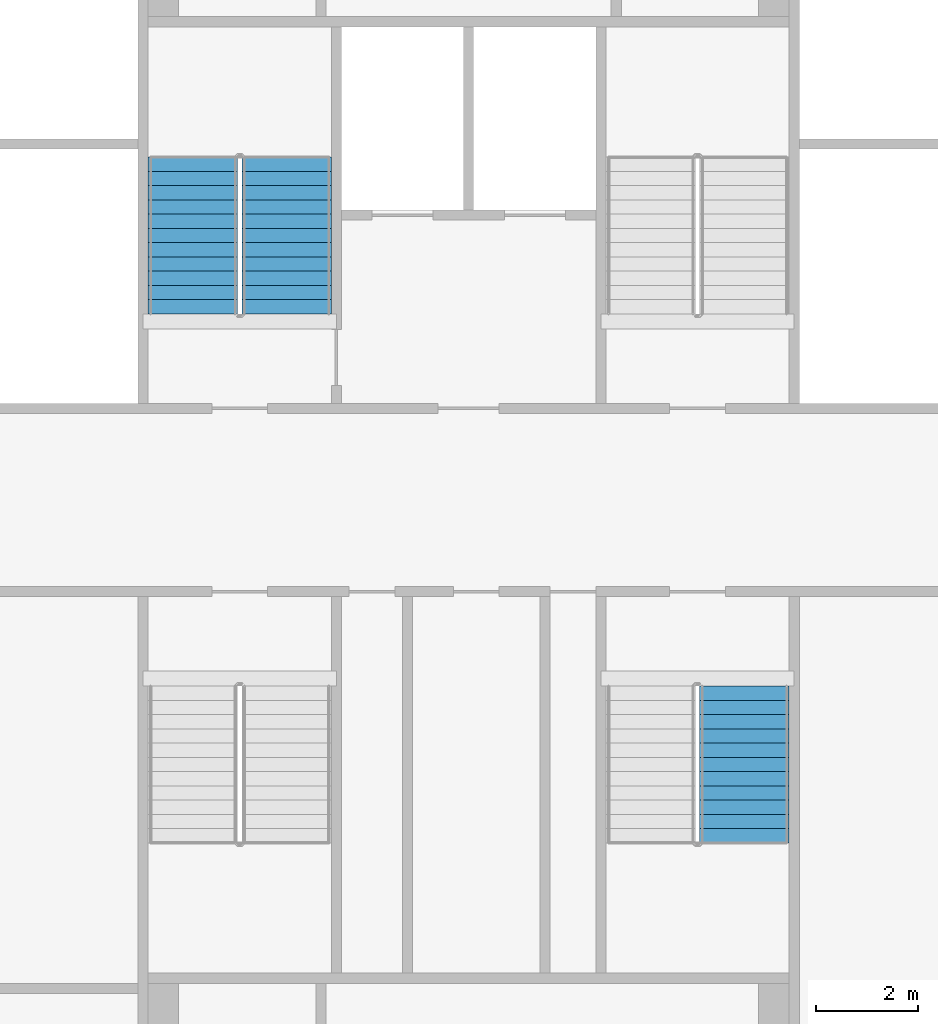
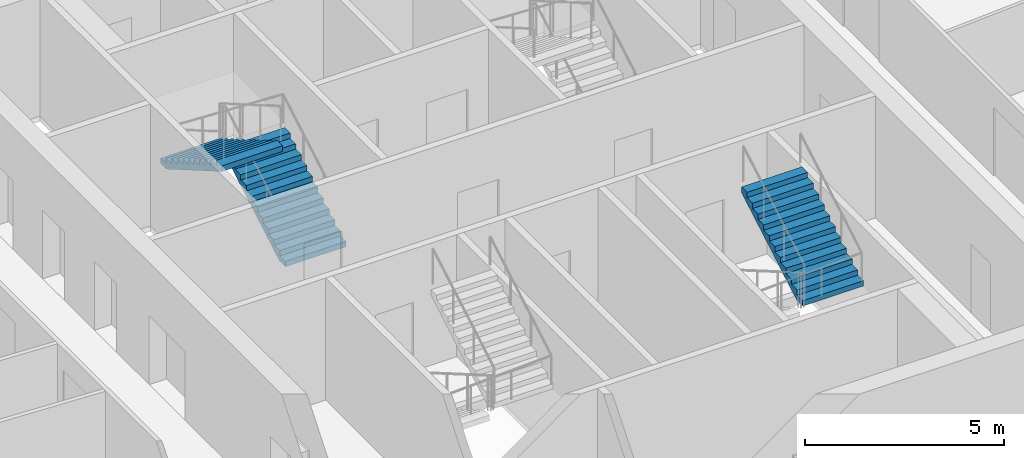
# One storey, part 8 of 14: 3 stair flights, 2 elements without a shape of their own.
"""IFC4 building model written with IfcOpenShell, lengths in metres."""

from ifc_helpers import new_model, si_unit, direction, frame, origin, place, context, subcontext, project, spatial, faceted_brep, material, type_object, element, aggregate, save


model = new_model("IFC4")

# Units and contexts
model_context = context("Model", 3, precision=1e-05, world=origin(), true_north=direction((0.0, 1.0)))
body_context = subcontext(model_context, "Body", "Model", "MODEL_VIEW")
ifc_project = project(units=[si_unit("LENGTHUNIT", "METRE"), si_unit("AREAUNIT", "SQUARE_METRE"), si_unit("VOLUMEUNIT", "CUBIC_METRE"), si_unit("PLANEANGLEUNIT", "RADIAN"), si_unit("MASSUNIT", "GRAM", prefix="KILO")], contexts=[model_context])

# Site, building, storey
site_placement = place(None, origin())
site = spatial("IfcSite", under=ifc_project, at=site_placement, CompositionType="ELEMENT")
building_placement = place(site_placement, origin())
building = spatial("IfcBuilding", under=site, at=building_placement, Name="Tarsis Ring Headquarters", CompositionType="ELEMENT")
storey_placement = place(building_placement, frame((0.0, 0.0, 274.699951171875)))
storey = spatial("IfcBuildingStorey", under=building, at=storey_placement, Name="L64", CompositionType="ELEMENT", Elevation=274.699951171875)

# Stair, stair flights
ifc_material_1 = material(Name="Core stair 1760")
stair_type = type_object("IfcStairType", Name="Core stair 1760", PredefinedType="HALF_TURN_STAIR", material=ifc_material_1)
stair_1_placement = place(storey_placement, origin())
stair_1 = element("IfcStair", 1, at=stair_1_placement, inside=storey, type_object=stair_type, Name="L64 Firefighting stair", PredefinedType="HALF_TURN_STAIR")
ifc_material_2 = material(Name="Concrete C40/50", Category="concrete")
stair_flight_type = type_object("IfcStairFlightType", Name="Core stair flight 1760", PredefinedType="STRAIGHT", material=ifc_material_2)
stair_flight_1_placement = place(storey_placement, frame((-3.580078125, 3.659912109375, 0.0), z_axis=(0.0, 0.0, 1.0), x_axis=(0.0, 1.0, 0.0)))
stair_flight_1 = element("IfcStairFlight", 2, at=stair_flight_1_placement, type_object=stair_flight_type, Name="Stair ST1 flight 1", NumberOfRisers=12, NumberOfTreads=11, PredefinedType="STRAIGHT", RiserHeight=0.1625, TreadLength=0.28, context=body_context, shape_type="Brep", body=[
    faceted_brep([(0.0, 0.8798828125, 0.0), (0.0, 0.8798828125, 0.16259765625), (0.280029296875, 0.8798828125, 0.16259765625), (0.280029296875, 0.8798828125, 0.324951171875), (0.56005859375, 0.8798828125, 0.324951171875), (0.56005859375, 0.8798828125, 0.487548828125), (0.840087890625, 0.8798828125, 0.487548828125), (0.840087890625, 0.8798828125, 0.64990234375), (1.1201171875, 0.8798828125, 0.64990234375), (1.1201171875, 0.8798828125, 0.8125), (1.39990234375, 0.8798828125, 0.8125), (1.39990234375, 0.8798828125, 0.97509765625), (1.679931640625, 0.8798828125, 0.97509765625), (1.679931640625, 0.8798828125, 1.137451171875), (1.9599609375, 0.8798828125, 1.137451171875), (1.9599609375, 0.8798828125, 1.300048828125), (2.239990234375, 0.8798828125, 1.300048828125), (2.239990234375, 0.8798828125, 1.46240234375), (2.52001953125, 0.8798828125, 1.46240234375), (2.52001953125, 0.8798828125, 1.625), (2.800048828125, 0.8798828125, 1.625), (2.800048828125, 0.8798828125, 1.78759765625), (3.080078125, 0.8798828125, 1.78759765625), (3.080078125, 0.8798828125, 1.6142578125), (0.298583984375, 0.8798828125, 0.0), (0.298583984375, -0.8798828125, 0.0), (3.080078125, -0.8798828125, 1.6142578125), (3.080078125, -0.8798828125, 1.78759765625), (2.800048828125, -0.8798828125, 1.78759765625), (2.800048828125, -0.8798828125, 1.625), (2.52001953125, -0.8798828125, 1.625), (2.52001953125, -0.8798828125, 1.46240234375), (2.239990234375, -0.8798828125, 1.46240234375), (2.239990234375, -0.8798828125, 1.300048828125), (1.9599609375, -0.8798828125, 1.300048828125), (1.9599609375, -0.8798828125, 1.137451171875), (1.679931640625, -0.8798828125, 1.137451171875), (1.679931640625, -0.8798828125, 0.97509765625), (1.39990234375, -0.8798828125, 0.97509765625), (1.39990234375, -0.8798828125, 0.8125), (1.1201171875, -0.8798828125, 0.8125), (1.1201171875, -0.8798828125, 0.64990234375), (0.840087890625, -0.8798828125, 0.64990234375), (0.840087890625, -0.8798828125, 0.487548828125), (0.56005859375, -0.8798828125, 0.487548828125), (0.56005859375, -0.8798828125, 0.324951171875), (0.280029296875, -0.8798828125, 0.324951171875), (0.280029296875, -0.8798828125, 0.16259765625), (0.0, -0.8798828125, 0.16259765625), (0.0, -0.8798828125, 0.0), (0.0, -0.43994140625, 0.16259765625), (0.0, -0.43994140625, 0.0), (0.0, 0.0, 0.16259765625), (0.0, 0.0, 0.0), (0.0, 0.43994140625, 0.16259765625), (0.0, 0.43994140625, 0.0), (0.280029296875, -0.43994140625, 0.16259765625), (0.280029296875, 0.0, 0.16259765625), (0.280029296875, 0.43994140625, 0.16259765625), (0.280029296875, -0.43994140625, 0.324951171875), (0.280029296875, 0.0, 0.324951171875), (0.280029296875, 0.43994140625, 0.324951171875), (0.56005859375, -0.43994140625, 0.324951171875), (0.56005859375, 0.0, 0.324951171875), (0.56005859375, 0.43994140625, 0.324951171875), (0.56005859375, -0.43994140625, 0.487548828125), (0.56005859375, 0.0, 0.487548828125), (0.56005859375, 0.43994140625, 0.487548828125), (0.840087890625, -0.43994140625, 0.487548828125), (0.840087890625, 0.0, 0.487548828125), (0.840087890625, 0.43994140625, 0.487548828125), (0.840087890625, -0.43994140625, 0.64990234375), (0.840087890625, 0.0, 0.64990234375), (0.840087890625, 0.43994140625, 0.64990234375), (1.1201171875, -0.43994140625, 0.64990234375), (1.1201171875, 0.0, 0.64990234375), (1.1201171875, 0.43994140625, 0.64990234375), (1.1201171875, -0.43994140625, 0.8125), (1.1201171875, 0.0, 0.8125), (1.1201171875, 0.43994140625, 0.8125), (1.39990234375, -0.43994140625, 0.8125), (1.39990234375, 0.0, 0.8125), (1.39990234375, 0.43994140625, 0.8125), (1.39990234375, -0.43994140625, 0.97509765625), (1.39990234375, 0.0, 0.97509765625), (1.39990234375, 0.43994140625, 0.97509765625), (1.679931640625, -0.43994140625, 0.97509765625), (1.679931640625, 0.0, 0.97509765625), (1.679931640625, 0.43994140625, 0.97509765625), (1.679931640625, -0.43994140625, 1.137451171875), (1.679931640625, 0.0, 1.137451171875), (1.679931640625, 0.43994140625, 1.137451171875), (1.9599609375, -0.43994140625, 1.137451171875), (1.9599609375, 0.0, 1.137451171875), (1.9599609375, 0.43994140625, 1.137451171875), (1.9599609375, -0.43994140625, 1.300048828125), (1.9599609375, 0.0, 1.300048828125), (1.9599609375, 0.43994140625, 1.300048828125), (2.239990234375, -0.43994140625, 1.300048828125), (2.239990234375, 0.0, 1.300048828125), (2.239990234375, 0.43994140625, 1.300048828125), (2.239990234375, -0.43994140625, 1.46240234375), (2.239990234375, 0.0, 1.46240234375), (2.239990234375, 0.43994140625, 1.46240234375), (2.52001953125, -0.43994140625, 1.46240234375), (2.52001953125, 0.0, 1.46240234375), (2.52001953125, 0.43994140625, 1.46240234375), (2.52001953125, -0.43994140625, 1.625), (2.52001953125, 0.0, 1.625), (2.52001953125, 0.43994140625, 1.625), (2.800048828125, -0.43994140625, 1.625), (2.800048828125, 0.0, 1.625), (2.800048828125, 0.43994140625, 1.625), (2.800048828125, -0.43994140625, 1.78759765625), (2.800048828125, 0.0, 1.78759765625), (2.800048828125, 0.43994140625, 1.78759765625), (3.080078125, -0.43994140625, 1.78759765625), (3.080078125, 0.0, 1.78759765625), (3.080078125, 0.43994140625, 1.78759765625), (3.080078125, -0.43994140625, 1.6142578125), (3.080078125, 0.0, 1.6142578125), (3.080078125, 0.43994140625, 1.6142578125), (0.298583984375, -0.43994140625, 0.0), (0.298583984375, 0.0, 0.0), (0.298583984375, 0.43994140625, 0.0)], [[[0, 1, 2, 3, 4, 5, 6, 7, 8, 9, 10, 11, 12, 13, 14, 15, 16, 17, 18, 19, 20, 21, 22, 23, 24]], [[25, 26, 27, 28, 29, 30, 31, 32, 33, 34, 35, 36, 37, 38, 39, 40, 41, 42, 43, 44, 45, 46, 47, 48, 49]], [[49, 48, 50, 51]], [[51, 50, 52, 53]], [[53, 52, 54, 55]], [[55, 54, 1, 0]], [[48, 47, 56, 50]], [[50, 56, 57, 52]], [[52, 57, 58, 54]], [[54, 58, 2, 1]], [[47, 46, 59, 56]], [[56, 59, 60, 57]], [[57, 60, 61, 58]], [[58, 61, 3, 2]], [[46, 45, 62, 59]], [[59, 62, 63, 60]], [[60, 63, 64, 61]], [[61, 64, 4, 3]], [[45, 44, 65, 62]], [[62, 65, 66, 63]], [[63, 66, 67, 64]], [[64, 67, 5, 4]], [[44, 43, 68, 65]], [[65, 68, 69, 66]], [[66, 69, 70, 67]], [[67, 70, 6, 5]], [[43, 42, 71, 68]], [[68, 71, 72, 69]], [[69, 72, 73, 70]], [[70, 73, 7, 6]], [[42, 41, 74, 71]], [[71, 74, 75, 72]], [[72, 75, 76, 73]], [[73, 76, 8, 7]], [[41, 40, 77, 74]], [[74, 77, 78, 75]], [[75, 78, 79, 76]], [[76, 79, 9, 8]], [[40, 39, 80, 77]], [[77, 80, 81, 78]], [[78, 81, 82, 79]], [[79, 82, 10, 9]], [[39, 38, 83, 80]], [[80, 83, 84, 81]], [[81, 84, 85, 82]], [[82, 85, 11, 10]], [[38, 37, 86, 83]], [[83, 86, 87, 84]], [[84, 87, 88, 85]], [[85, 88, 12, 11]], [[37, 36, 89, 86]], [[86, 89, 90, 87]], [[87, 90, 91, 88]], [[88, 91, 13, 12]], [[36, 35, 92, 89]], [[89, 92, 93, 90]], [[90, 93, 94, 91]], [[91, 94, 14, 13]], [[35, 34, 95, 92]], [[92, 95, 96, 93]], [[93, 96, 97, 94]], [[94, 97, 15, 14]], [[34, 33, 98, 95]], [[95, 98, 99, 96]], [[96, 99, 100, 97]], [[97, 100, 16, 15]], [[33, 32, 101, 98]], [[98, 101, 102, 99]], [[99, 102, 103, 100]], [[100, 103, 17, 16]], [[32, 31, 104, 101]], [[101, 104, 105, 102]], [[102, 105, 106, 103]], [[103, 106, 18, 17]], [[31, 30, 107, 104]], [[104, 107, 108, 105]], [[105, 108, 109, 106]], [[106, 109, 19, 18]], [[30, 29, 110, 107]], [[107, 110, 111, 108]], [[108, 111, 112, 109]], [[109, 112, 20, 19]], [[29, 28, 113, 110]], [[110, 113, 114, 111]], [[111, 114, 115, 112]], [[112, 115, 21, 20]], [[28, 27, 116, 113]], [[113, 116, 117, 114]], [[114, 117, 118, 115]], [[115, 118, 22, 21]], [[27, 26, 119, 116]], [[116, 119, 120, 117]], [[117, 120, 121, 118]], [[118, 121, 23, 22]], [[26, 25, 122, 119]], [[119, 122, 123, 120]], [[120, 123, 124, 121]], [[121, 124, 24, 23]], [[25, 49, 51, 122]], [[122, 51, 53, 123]], [[123, 53, 55, 124]], [[124, 55, 0, 24]]]),
])
stair_flight_2_placement = place(storey_placement, frame((-5.419921875, 6.739990234375, 1.949951171875), z_axis=(0.0, 0.0, 1.0), x_axis=(0.0, -1.0, 0.0)))
stair_flight_2 = element("IfcStairFlight", 3, at=stair_flight_2_placement, type_object=stair_flight_type, Name="Stair ST1 flight 2", NumberOfRisers=12, NumberOfTreads=11, PredefinedType="STRAIGHT", RiserHeight=0.1625, TreadLength=0.28, context=body_context, shape_type="Brep", body=[
    faceted_brep([(0.0, 0.8798828125, 0.0), (0.0, 0.8798828125, 0.16259765625), (0.280029296875, 0.8798828125, 0.16259765625), (0.280029296875, 0.8798828125, 0.324951171875), (0.56005859375, 0.8798828125, 0.324951171875), (0.56005859375, 0.8798828125, 0.487548828125), (0.840087890625, 0.8798828125, 0.487548828125), (0.840087890625, 0.8798828125, 0.64990234375), (1.1201171875, 0.8798828125, 0.64990234375), (1.1201171875, 0.8798828125, 0.8125), (1.39990234375, 0.8798828125, 0.8125), (1.39990234375, 0.8798828125, 0.97509765625), (1.679931640625, 0.8798828125, 0.97509765625), (1.679931640625, 0.8798828125, 1.137451171875), (1.9599609375, 0.8798828125, 1.137451171875), (1.9599609375, 0.8798828125, 1.300048828125), (2.239990234375, 0.8798828125, 1.300048828125), (2.239990234375, 0.8798828125, 1.46240234375), (2.52001953125, 0.8798828125, 1.46240234375), (2.52001953125, 0.8798828125, 1.625), (2.800048828125, 0.8798828125, 1.625), (2.800048828125, 0.8798828125, 1.78759765625), (3.080078125, 0.8798828125, 1.78759765625), (3.080078125, 0.8798828125, 1.6142578125), (0.298583984375, 0.8798828125, 0.0), (0.298583984375, -0.8798828125, 0.0), (3.080078125, -0.8798828125, 1.6142578125), (3.080078125, -0.8798828125, 1.78759765625), (2.800048828125, -0.8798828125, 1.78759765625), (2.800048828125, -0.8798828125, 1.625), (2.52001953125, -0.8798828125, 1.625), (2.52001953125, -0.8798828125, 1.46240234375), (2.239990234375, -0.8798828125, 1.46240234375), (2.239990234375, -0.8798828125, 1.300048828125), (1.9599609375, -0.8798828125, 1.300048828125), (1.9599609375, -0.8798828125, 1.137451171875), (1.679931640625, -0.8798828125, 1.137451171875), (1.679931640625, -0.8798828125, 0.97509765625), (1.39990234375, -0.8798828125, 0.97509765625), (1.39990234375, -0.8798828125, 0.8125), (1.1201171875, -0.8798828125, 0.8125), (1.1201171875, -0.8798828125, 0.64990234375), (0.840087890625, -0.8798828125, 0.64990234375), (0.840087890625, -0.8798828125, 0.487548828125), (0.56005859375, -0.8798828125, 0.487548828125), (0.56005859375, -0.8798828125, 0.324951171875), (0.280029296875, -0.8798828125, 0.324951171875), (0.280029296875, -0.8798828125, 0.16259765625), (0.0, -0.8798828125, 0.16259765625), (0.0, -0.8798828125, 0.0), (0.0, -0.43994140625, 0.16259765625), (0.0, -0.43994140625, 0.0), (0.0, 0.0, 0.16259765625), (0.0, 0.0, 0.0), (0.0, 0.43994140625, 0.16259765625), (0.0, 0.43994140625, 0.0), (0.280029296875, -0.43994140625, 0.16259765625), (0.280029296875, 0.0, 0.16259765625), (0.280029296875, 0.43994140625, 0.16259765625), (0.280029296875, -0.43994140625, 0.324951171875), (0.280029296875, 0.0, 0.324951171875), (0.280029296875, 0.43994140625, 0.324951171875), (0.56005859375, -0.43994140625, 0.324951171875), (0.56005859375, 0.0, 0.324951171875), (0.56005859375, 0.43994140625, 0.324951171875), (0.56005859375, -0.43994140625, 0.487548828125), (0.56005859375, 0.0, 0.487548828125), (0.56005859375, 0.43994140625, 0.487548828125), (0.840087890625, -0.43994140625, 0.487548828125), (0.840087890625, 0.0, 0.487548828125), (0.840087890625, 0.43994140625, 0.487548828125), (0.840087890625, -0.43994140625, 0.64990234375), (0.840087890625, 0.0, 0.64990234375), (0.840087890625, 0.43994140625, 0.64990234375), (1.1201171875, -0.43994140625, 0.64990234375), (1.1201171875, 0.0, 0.64990234375), (1.1201171875, 0.43994140625, 0.64990234375), (1.1201171875, -0.43994140625, 0.8125), (1.1201171875, 0.0, 0.8125), (1.1201171875, 0.43994140625, 0.8125), (1.39990234375, -0.43994140625, 0.8125), (1.39990234375, 0.0, 0.8125), (1.39990234375, 0.43994140625, 0.8125), (1.39990234375, -0.43994140625, 0.97509765625), (1.39990234375, 0.0, 0.97509765625), (1.39990234375, 0.43994140625, 0.97509765625), (1.679931640625, -0.43994140625, 0.97509765625), (1.679931640625, 0.0, 0.97509765625), (1.679931640625, 0.43994140625, 0.97509765625), (1.679931640625, -0.43994140625, 1.137451171875), (1.679931640625, 0.0, 1.137451171875), (1.679931640625, 0.43994140625, 1.137451171875), (1.9599609375, -0.43994140625, 1.137451171875), (1.9599609375, 0.0, 1.137451171875), (1.9599609375, 0.43994140625, 1.137451171875), (1.9599609375, -0.43994140625, 1.300048828125), (1.9599609375, 0.0, 1.300048828125), (1.9599609375, 0.43994140625, 1.300048828125), (2.239990234375, -0.43994140625, 1.300048828125), (2.239990234375, 0.0, 1.300048828125), (2.239990234375, 0.43994140625, 1.300048828125), (2.239990234375, -0.43994140625, 1.46240234375), (2.239990234375, 0.0, 1.46240234375), (2.239990234375, 0.43994140625, 1.46240234375), (2.52001953125, -0.43994140625, 1.46240234375), (2.52001953125, 0.0, 1.46240234375), (2.52001953125, 0.43994140625, 1.46240234375), (2.52001953125, -0.43994140625, 1.625), (2.52001953125, 0.0, 1.625), (2.52001953125, 0.43994140625, 1.625), (2.800048828125, -0.43994140625, 1.625), (2.800048828125, 0.0, 1.625), (2.800048828125, 0.43994140625, 1.625), (2.800048828125, -0.43994140625, 1.78759765625), (2.800048828125, 0.0, 1.78759765625), (2.800048828125, 0.43994140625, 1.78759765625), (3.080078125, -0.43994140625, 1.78759765625), (3.080078125, 0.0, 1.78759765625), (3.080078125, 0.43994140625, 1.78759765625), (3.080078125, -0.43994140625, 1.6142578125), (3.080078125, 0.0, 1.6142578125), (3.080078125, 0.43994140625, 1.6142578125), (0.298583984375, -0.43994140625, 0.0), (0.298583984375, 0.0, 0.0), (0.298583984375, 0.43994140625, 0.0)], [[[0, 1, 2, 3, 4, 5, 6, 7, 8, 9, 10, 11, 12, 13, 14, 15, 16, 17, 18, 19, 20, 21, 22, 23, 24]], [[25, 26, 27, 28, 29, 30, 31, 32, 33, 34, 35, 36, 37, 38, 39, 40, 41, 42, 43, 44, 45, 46, 47, 48, 49]], [[49, 48, 50, 51]], [[51, 50, 52, 53]], [[53, 52, 54, 55]], [[55, 54, 1, 0]], [[48, 47, 56, 50]], [[50, 56, 57, 52]], [[52, 57, 58, 54]], [[54, 58, 2, 1]], [[47, 46, 59, 56]], [[56, 59, 60, 57]], [[57, 60, 61, 58]], [[58, 61, 3, 2]], [[46, 45, 62, 59]], [[59, 62, 63, 60]], [[60, 63, 64, 61]], [[61, 64, 4, 3]], [[45, 44, 65, 62]], [[62, 65, 66, 63]], [[63, 66, 67, 64]], [[64, 67, 5, 4]], [[44, 43, 68, 65]], [[65, 68, 69, 66]], [[66, 69, 70, 67]], [[67, 70, 6, 5]], [[43, 42, 71, 68]], [[68, 71, 72, 69]], [[69, 72, 73, 70]], [[70, 73, 7, 6]], [[42, 41, 74, 71]], [[71, 74, 75, 72]], [[72, 75, 76, 73]], [[73, 76, 8, 7]], [[41, 40, 77, 74]], [[74, 77, 78, 75]], [[75, 78, 79, 76]], [[76, 79, 9, 8]], [[40, 39, 80, 77]], [[77, 80, 81, 78]], [[78, 81, 82, 79]], [[79, 82, 10, 9]], [[39, 38, 83, 80]], [[80, 83, 84, 81]], [[81, 84, 85, 82]], [[82, 85, 11, 10]], [[38, 37, 86, 83]], [[83, 86, 87, 84]], [[84, 87, 88, 85]], [[85, 88, 12, 11]], [[37, 36, 89, 86]], [[86, 89, 90, 87]], [[87, 90, 91, 88]], [[88, 91, 13, 12]], [[36, 35, 92, 89]], [[89, 92, 93, 90]], [[90, 93, 94, 91]], [[91, 94, 14, 13]], [[35, 34, 95, 92]], [[92, 95, 96, 93]], [[93, 96, 97, 94]], [[94, 97, 15, 14]], [[34, 33, 98, 95]], [[95, 98, 99, 96]], [[96, 99, 100, 97]], [[97, 100, 16, 15]], [[33, 32, 101, 98]], [[98, 101, 102, 99]], [[99, 102, 103, 100]], [[100, 103, 17, 16]], [[32, 31, 104, 101]], [[101, 104, 105, 102]], [[102, 105, 106, 103]], [[103, 106, 18, 17]], [[31, 30, 107, 104]], [[104, 107, 108, 105]], [[105, 108, 109, 106]], [[106, 109, 19, 18]], [[30, 29, 110, 107]], [[107, 110, 111, 108]], [[108, 111, 112, 109]], [[109, 112, 20, 19]], [[29, 28, 113, 110]], [[110, 113, 114, 111]], [[111, 114, 115, 112]], [[112, 115, 21, 20]], [[28, 27, 116, 113]], [[113, 116, 117, 114]], [[114, 117, 118, 115]], [[115, 118, 22, 21]], [[27, 26, 119, 116]], [[116, 119, 120, 117]], [[117, 120, 121, 118]], [[118, 121, 23, 22]], [[26, 25, 122, 119]], [[119, 122, 123, 120]], [[120, 123, 124, 121]], [[121, 124, 24, 23]], [[25, 49, 51, 122]], [[122, 51, 53, 123]], [[123, 53, 55, 124]], [[124, 55, 0, 24]]]),
])
aggregate(stair_1, [stair_flight_1, stair_flight_2])

# Stair, stair flight
stair_2_placement = place(storey_placement, origin())
stair_2 = element("IfcStair", 4, at=stair_2_placement, inside=storey, type_object=stair_type, Name="L64 Exit stair D", PredefinedType="HALF_TURN_STAIR")
stair_flight_3_placement = place(storey_placement, frame((5.419921875, -6.739990234375, 1.949951171875), z_axis=(0.0, 0.0, 1.0), x_axis=(0.0, 1.0, 0.0)))
stair_flight_3 = element("IfcStairFlight", 5, at=stair_flight_3_placement, type_object=stair_flight_type, Name="Stair ST4 flight 2", NumberOfRisers=12, NumberOfTreads=11, PredefinedType="STRAIGHT", RiserHeight=0.1625, TreadLength=0.28, context=body_context, shape_type="Brep", body=[
    faceted_brep([(0.0, 0.8798828125, 0.0), (0.0, 0.8798828125, 0.16259765625), (0.280029296875, 0.8798828125, 0.16259765625), (0.280029296875, 0.8798828125, 0.324951171875), (0.56005859375, 0.8798828125, 0.324951171875), (0.56005859375, 0.8798828125, 0.487548828125), (0.840087890625, 0.8798828125, 0.487548828125), (0.840087890625, 0.8798828125, 0.64990234375), (1.1201171875, 0.8798828125, 0.64990234375), (1.1201171875, 0.8798828125, 0.8125), (1.39990234375, 0.8798828125, 0.8125), (1.39990234375, 0.8798828125, 0.97509765625), (1.679931640625, 0.8798828125, 0.97509765625), (1.679931640625, 0.8798828125, 1.137451171875), (1.9599609375, 0.8798828125, 1.137451171875), (1.9599609375, 0.8798828125, 1.300048828125), (2.239990234375, 0.8798828125, 1.300048828125), (2.239990234375, 0.8798828125, 1.46240234375), (2.52001953125, 0.8798828125, 1.46240234375), (2.52001953125, 0.8798828125, 1.625), (2.800048828125, 0.8798828125, 1.625), (2.800048828125, 0.8798828125, 1.78759765625), (3.080078125, 0.8798828125, 1.78759765625), (3.080078125, 0.8798828125, 1.6142578125), (0.298583984375, 0.8798828125, 0.0), (0.298583984375, -0.8798828125, 0.0), (3.080078125, -0.8798828125, 1.6142578125), (3.080078125, -0.8798828125, 1.78759765625), (2.800048828125, -0.8798828125, 1.78759765625), (2.800048828125, -0.8798828125, 1.625), (2.52001953125, -0.8798828125, 1.625), (2.52001953125, -0.8798828125, 1.46240234375), (2.239990234375, -0.8798828125, 1.46240234375), (2.239990234375, -0.8798828125, 1.300048828125), (1.9599609375, -0.8798828125, 1.300048828125), (1.9599609375, -0.8798828125, 1.137451171875), (1.679931640625, -0.8798828125, 1.137451171875), (1.679931640625, -0.8798828125, 0.97509765625), (1.39990234375, -0.8798828125, 0.97509765625), (1.39990234375, -0.8798828125, 0.8125), (1.1201171875, -0.8798828125, 0.8125), (1.1201171875, -0.8798828125, 0.64990234375), (0.840087890625, -0.8798828125, 0.64990234375), (0.840087890625, -0.8798828125, 0.487548828125), (0.56005859375, -0.8798828125, 0.487548828125), (0.56005859375, -0.8798828125, 0.324951171875), (0.280029296875, -0.8798828125, 0.324951171875), (0.280029296875, -0.8798828125, 0.16259765625), (0.0, -0.8798828125, 0.16259765625), (0.0, -0.8798828125, 0.0), (0.0, -0.43994140625, 0.16259765625), (0.0, -0.43994140625, 0.0), (0.0, 0.0, 0.16259765625), (0.0, 0.0, 0.0), (0.0, 0.43994140625, 0.16259765625), (0.0, 0.43994140625, 0.0), (0.280029296875, -0.43994140625, 0.16259765625), (0.280029296875, 0.0, 0.16259765625), (0.280029296875, 0.43994140625, 0.16259765625), (0.280029296875, -0.43994140625, 0.324951171875), (0.280029296875, 0.0, 0.324951171875), (0.280029296875, 0.43994140625, 0.324951171875), (0.56005859375, -0.43994140625, 0.324951171875), (0.56005859375, 0.0, 0.324951171875), (0.56005859375, 0.43994140625, 0.324951171875), (0.56005859375, -0.43994140625, 0.487548828125), (0.56005859375, 0.0, 0.487548828125), (0.56005859375, 0.43994140625, 0.487548828125), (0.840087890625, -0.43994140625, 0.487548828125), (0.840087890625, 0.0, 0.487548828125), (0.840087890625, 0.43994140625, 0.487548828125), (0.840087890625, -0.43994140625, 0.64990234375), (0.840087890625, 0.0, 0.64990234375), (0.840087890625, 0.43994140625, 0.64990234375), (1.1201171875, -0.43994140625, 0.64990234375), (1.1201171875, 0.0, 0.64990234375), (1.1201171875, 0.43994140625, 0.64990234375), (1.1201171875, -0.43994140625, 0.8125), (1.1201171875, 0.0, 0.8125), (1.1201171875, 0.43994140625, 0.8125), (1.39990234375, -0.43994140625, 0.8125), (1.39990234375, 0.0, 0.8125), (1.39990234375, 0.43994140625, 0.8125), (1.39990234375, -0.43994140625, 0.97509765625), (1.39990234375, 0.0, 0.97509765625), (1.39990234375, 0.43994140625, 0.97509765625), (1.679931640625, -0.43994140625, 0.97509765625), (1.679931640625, 0.0, 0.97509765625), (1.679931640625, 0.43994140625, 0.97509765625), (1.679931640625, -0.43994140625, 1.137451171875), (1.679931640625, 0.0, 1.137451171875), (1.679931640625, 0.43994140625, 1.137451171875), (1.9599609375, -0.43994140625, 1.137451171875), (1.9599609375, 0.0, 1.137451171875), (1.9599609375, 0.43994140625, 1.137451171875), (1.9599609375, -0.43994140625, 1.300048828125), (1.9599609375, 0.0, 1.300048828125), (1.9599609375, 0.43994140625, 1.300048828125), (2.239990234375, -0.43994140625, 1.300048828125), (2.239990234375, 0.0, 1.300048828125), (2.239990234375, 0.43994140625, 1.300048828125), (2.239990234375, -0.43994140625, 1.46240234375), (2.239990234375, 0.0, 1.46240234375), (2.239990234375, 0.43994140625, 1.46240234375), (2.52001953125, -0.43994140625, 1.46240234375), (2.52001953125, 0.0, 1.46240234375), (2.52001953125, 0.43994140625, 1.46240234375), (2.52001953125, -0.43994140625, 1.625), (2.52001953125, 0.0, 1.625), (2.52001953125, 0.43994140625, 1.625), (2.800048828125, -0.43994140625, 1.625), (2.800048828125, 0.0, 1.625), (2.800048828125, 0.43994140625, 1.625), (2.800048828125, -0.43994140625, 1.78759765625), (2.800048828125, 0.0, 1.78759765625), (2.800048828125, 0.43994140625, 1.78759765625), (3.080078125, -0.43994140625, 1.78759765625), (3.080078125, 0.0, 1.78759765625), (3.080078125, 0.43994140625, 1.78759765625), (3.080078125, -0.43994140625, 1.6142578125), (3.080078125, 0.0, 1.6142578125), (3.080078125, 0.43994140625, 1.6142578125), (0.298583984375, -0.43994140625, 0.0), (0.298583984375, 0.0, 0.0), (0.298583984375, 0.43994140625, 0.0)], [[[0, 1, 2, 3, 4, 5, 6, 7, 8, 9, 10, 11, 12, 13, 14, 15, 16, 17, 18, 19, 20, 21, 22, 23, 24]], [[25, 26, 27, 28, 29, 30, 31, 32, 33, 34, 35, 36, 37, 38, 39, 40, 41, 42, 43, 44, 45, 46, 47, 48, 49]], [[49, 48, 50, 51]], [[51, 50, 52, 53]], [[53, 52, 54, 55]], [[55, 54, 1, 0]], [[48, 47, 56, 50]], [[50, 56, 57, 52]], [[52, 57, 58, 54]], [[54, 58, 2, 1]], [[47, 46, 59, 56]], [[56, 59, 60, 57]], [[57, 60, 61, 58]], [[58, 61, 3, 2]], [[46, 45, 62, 59]], [[59, 62, 63, 60]], [[60, 63, 64, 61]], [[61, 64, 4, 3]], [[45, 44, 65, 62]], [[62, 65, 66, 63]], [[63, 66, 67, 64]], [[64, 67, 5, 4]], [[44, 43, 68, 65]], [[65, 68, 69, 66]], [[66, 69, 70, 67]], [[67, 70, 6, 5]], [[43, 42, 71, 68]], [[68, 71, 72, 69]], [[69, 72, 73, 70]], [[70, 73, 7, 6]], [[42, 41, 74, 71]], [[71, 74, 75, 72]], [[72, 75, 76, 73]], [[73, 76, 8, 7]], [[41, 40, 77, 74]], [[74, 77, 78, 75]], [[75, 78, 79, 76]], [[76, 79, 9, 8]], [[40, 39, 80, 77]], [[77, 80, 81, 78]], [[78, 81, 82, 79]], [[79, 82, 10, 9]], [[39, 38, 83, 80]], [[80, 83, 84, 81]], [[81, 84, 85, 82]], [[82, 85, 11, 10]], [[38, 37, 86, 83]], [[83, 86, 87, 84]], [[84, 87, 88, 85]], [[85, 88, 12, 11]], [[37, 36, 89, 86]], [[86, 89, 90, 87]], [[87, 90, 91, 88]], [[88, 91, 13, 12]], [[36, 35, 92, 89]], [[89, 92, 93, 90]], [[90, 93, 94, 91]], [[91, 94, 14, 13]], [[35, 34, 95, 92]], [[92, 95, 96, 93]], [[93, 96, 97, 94]], [[94, 97, 15, 14]], [[34, 33, 98, 95]], [[95, 98, 99, 96]], [[96, 99, 100, 97]], [[97, 100, 16, 15]], [[33, 32, 101, 98]], [[98, 101, 102, 99]], [[99, 102, 103, 100]], [[100, 103, 17, 16]], [[32, 31, 104, 101]], [[101, 104, 105, 102]], [[102, 105, 106, 103]], [[103, 106, 18, 17]], [[31, 30, 107, 104]], [[104, 107, 108, 105]], [[105, 108, 109, 106]], [[106, 109, 19, 18]], [[30, 29, 110, 107]], [[107, 110, 111, 108]], [[108, 111, 112, 109]], [[109, 112, 20, 19]], [[29, 28, 113, 110]], [[110, 113, 114, 111]], [[111, 114, 115, 112]], [[112, 115, 21, 20]], [[28, 27, 116, 113]], [[113, 116, 117, 114]], [[114, 117, 118, 115]], [[115, 118, 22, 21]], [[27, 26, 119, 116]], [[116, 119, 120, 117]], [[117, 120, 121, 118]], [[118, 121, 23, 22]], [[26, 25, 122, 119]], [[119, 122, 123, 120]], [[120, 123, 124, 121]], [[121, 124, 24, 23]], [[25, 49, 51, 122]], [[122, 51, 53, 123]], [[123, 53, 55, 124]], [[124, 55, 0, 24]]]),
])
aggregate(stair_2, [stair_flight_3])

save(model, "model.ifc")
